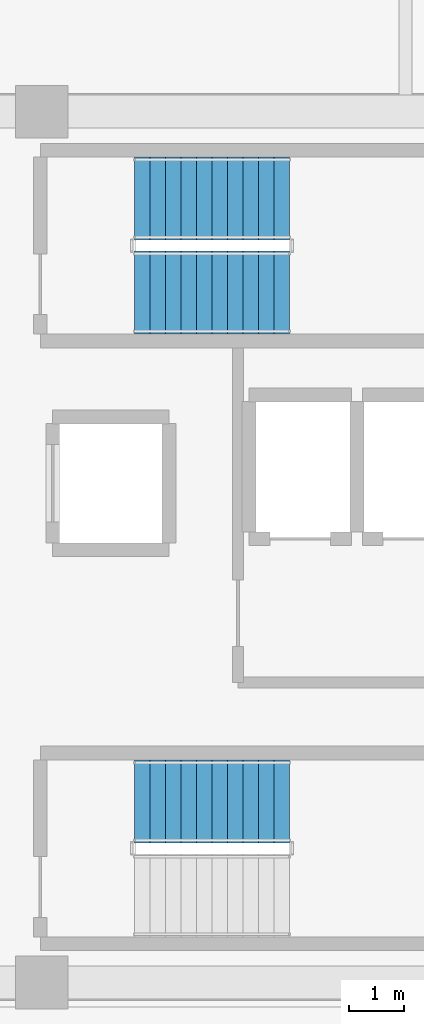
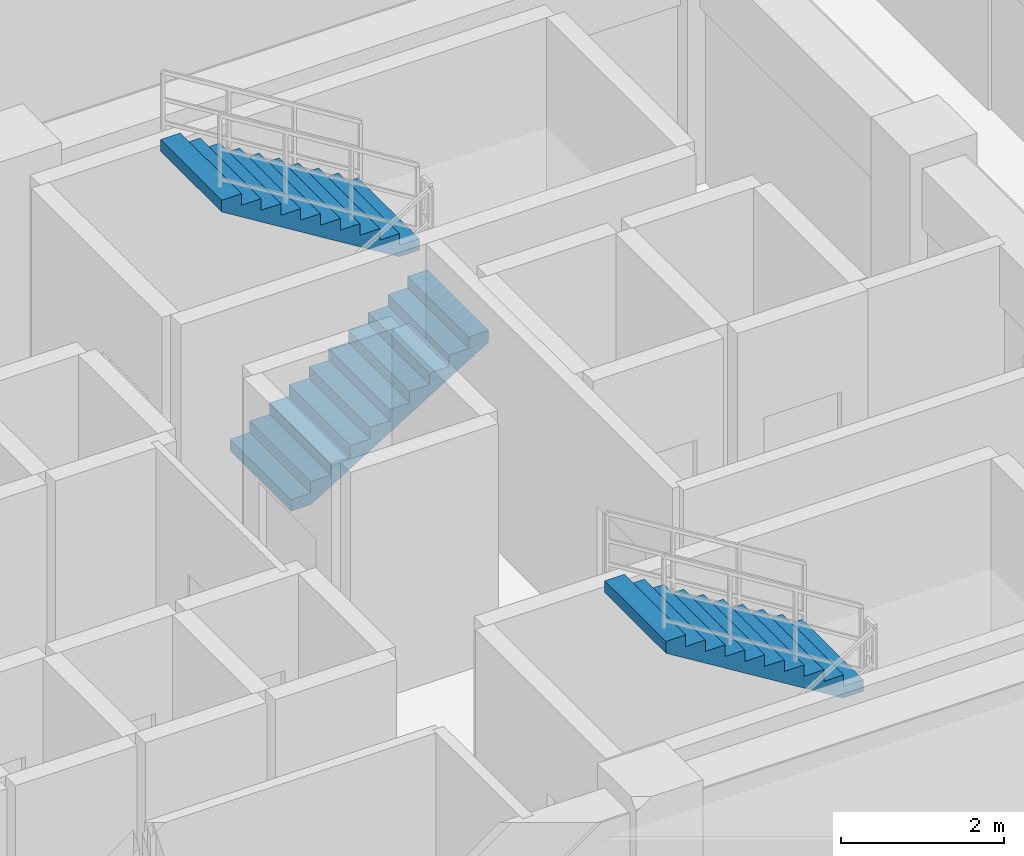
# One storey, part 11 of 14: 3 stair flights, 2 elements without a shape of their own.
"""IFC4 building model written with IfcOpenShell, lengths in metres."""

from ifc_helpers import new_model, si_unit, direction, frame, origin, place, context, subcontext, project, spatial, polyline, outline, extrude, material, type_object, element, aggregate, save


model = new_model("IFC4")

# Units and contexts
model_context = context("Model", 3, precision=1e-05, world=origin(), true_north=direction((0.0, 1.0)))
body_context = subcontext(model_context, "Body", "Model", "MODEL_VIEW")
ifc_project = project(units=[si_unit("LENGTHUNIT", "METRE"), si_unit("AREAUNIT", "SQUARE_METRE"), si_unit("VOLUMEUNIT", "CUBIC_METRE"), si_unit("PLANEANGLEUNIT", "RADIAN"), si_unit("MASSUNIT", "GRAM", prefix="KILO")], contexts=[model_context])

# Site, building, storey
site_placement = place(None, origin())
site = spatial("IfcSite", under=ifc_project, at=site_placement, CompositionType="ELEMENT")
building_placement = place(site_placement, origin())
building = spatial("IfcBuilding", under=site, at=building_placement, Name="Zulverin Broadcast Headquarters", CompositionType="ELEMENT")
storey_placement = place(building_placement, frame((0.0, 0.0, 178.199951171875)))
storey = spatial("IfcBuildingStorey", under=building, at=storey_placement, Name="L45", CompositionType="ELEMENT", Elevation=178.199951171875)

# Stair, stair flights
ifc_material = material(Name="Concrete C40/50", Category="concrete")
stair_type = type_object("IfcStairType", Name="ST-CORE-1500", PredefinedType="HALF_TURN_STAIR", material=ifc_material)
stair_1_placement = place(storey_placement, origin())
stair_1 = element("IfcStair", 1, at=stair_1_placement, inside=storey, type_object=stair_type, Name="L45 Core Exit Stair ST-1", PredefinedType="HALF_TURN_STAIR")
stair_flight_type = type_object("IfcStairFlightType", Name="SF-CORE-1500", PredefinedType="STRAIGHT", material=ifc_material)
stair_flight_1_placement = place(storey_placement, frame((40.1298828125, 29.800048828125, 0.0), z_axis=(0.0, 0.0, 1.0), x_axis=(1.0, 0.0, 0.0)))
stair_flight_1 = element("IfcStairFlight", 2, at=stair_flight_1_placement, type_object=stair_flight_type, Name="ST-1 flight 1", NumberOfRisers=11, NumberOfTreads=10, PredefinedType="STRAIGHT", RiserHeight=0.172727273, TreadLength=0.28, context=body_context, shape_type="SweptSolid", body=[
    extrude(outline(polyline([(0.0, 0.0), (0.0, 0.172607421875), (0.280029296875, 0.172607421875), (0.280029296875, 0.345458984375), (0.56005859375, 0.345458984375), (0.56005859375, 0.51806640625), (0.840087890625, 0.51806640625), (0.840087890625, 0.69091796875), (1.1201171875, 0.69091796875), (1.1201171875, 0.863525390625), (1.39990234375, 0.863525390625), (1.39990234375, 1.036376953125), (1.679931640625, 1.036376953125), (1.679931640625, 1.208984375), (1.9599609375, 1.208984375), (1.9599609375, 1.3818359375), (2.239990234375, 1.3818359375), (2.239990234375, 1.554443359375), (2.52001953125, 1.554443359375), (2.52001953125, 1.727294921875), (2.800048828125, 1.727294921875), (2.800048828125, 1.89990234375), (2.800048828125, 1.551025390625), (0.285400390625, 0.0), (0.0, 0.0)])), frame((0.0, 0.75, 0.0), z_axis=(0.0, -1.0, 0.0), x_axis=(1.0, 0.0, 0.0)), (0.0, 0.0, 1.0), 1.5),
])
stair_flight_2_placement = place(storey_placement, frame((42.929931640625, 31.5, 1.900146484375), z_axis=(0.0, 0.0, 1.0), x_axis=(-1.0, 0.0, 0.0)))
stair_flight_2 = element("IfcStairFlight", 3, at=stair_flight_2_placement, type_object=stair_flight_type, Name="ST-1 flight 2", NumberOfRisers=11, NumberOfTreads=10, PredefinedType="STRAIGHT", RiserHeight=0.172727273, TreadLength=0.28, context=body_context, shape_type="SweptSolid", body=[
    extrude(outline(polyline([(0.0, 0.0), (0.0, 0.172607421875), (0.280029296875, 0.172607421875), (0.280029296875, 0.345458984375), (0.56005859375, 0.345458984375), (0.56005859375, 0.51806640625), (0.840087890625, 0.51806640625), (0.840087890625, 0.69091796875), (1.1201171875, 0.69091796875), (1.1201171875, 0.863525390625), (1.39990234375, 0.863525390625), (1.39990234375, 1.036376953125), (1.679931640625, 1.036376953125), (1.679931640625, 1.208984375), (1.9599609375, 1.208984375), (1.9599609375, 1.3818359375), (2.239990234375, 1.3818359375), (2.239990234375, 1.554443359375), (2.52001953125, 1.554443359375), (2.52001953125, 1.727294921875), (2.800048828125, 1.727294921875), (2.800048828125, 1.89990234375), (2.800048828125, 1.551025390625), (0.285400390625, 0.0), (0.0, 0.0)])), frame((0.0, 0.75, 0.0), z_axis=(0.0, -1.0, 0.0), x_axis=(1.0, 0.0, 0.0)), (0.0, 0.0, 1.0), 1.5),
])
aggregate(stair_1, [stair_flight_1, stair_flight_2])

# Stair, stair flight
stair_2_placement = place(storey_placement, origin())
stair_2 = element("IfcStair", 4, at=stair_2_placement, inside=storey, type_object=stair_type, Name="L45 Core Exit Stair ST-2", PredefinedType="HALF_TURN_STAIR")
stair_flight_3_placement = place(storey_placement, frame((42.929931640625, 20.60009765625, 1.900146484375), z_axis=(0.0, 0.0, 1.0), x_axis=(-1.0, 0.0, 0.0)))
stair_flight_3 = element("IfcStairFlight", 5, at=stair_flight_3_placement, type_object=stair_flight_type, Name="ST-2 flight 2", NumberOfRisers=11, NumberOfTreads=10, PredefinedType="STRAIGHT", RiserHeight=0.172727273, TreadLength=0.28, context=body_context, shape_type="SweptSolid", body=[
    extrude(outline(polyline([(0.0, 0.0), (0.0, 0.172607421875), (0.280029296875, 0.172607421875), (0.280029296875, 0.345458984375), (0.56005859375, 0.345458984375), (0.56005859375, 0.51806640625), (0.840087890625, 0.51806640625), (0.840087890625, 0.69091796875), (1.1201171875, 0.69091796875), (1.1201171875, 0.863525390625), (1.39990234375, 0.863525390625), (1.39990234375, 1.036376953125), (1.679931640625, 1.036376953125), (1.679931640625, 1.208984375), (1.9599609375, 1.208984375), (1.9599609375, 1.3818359375), (2.239990234375, 1.3818359375), (2.239990234375, 1.554443359375), (2.52001953125, 1.554443359375), (2.52001953125, 1.727294921875), (2.800048828125, 1.727294921875), (2.800048828125, 1.89990234375), (2.800048828125, 1.551025390625), (0.285400390625, 0.0), (0.0, 0.0)])), frame((0.0, 0.75, 0.0), z_axis=(0.0, -1.0, 0.0), x_axis=(1.0, 0.0, 0.0)), (0.0, 0.0, 1.0), 1.5),
])
aggregate(stair_2, [stair_flight_3])

save(model, "model.ifc")
